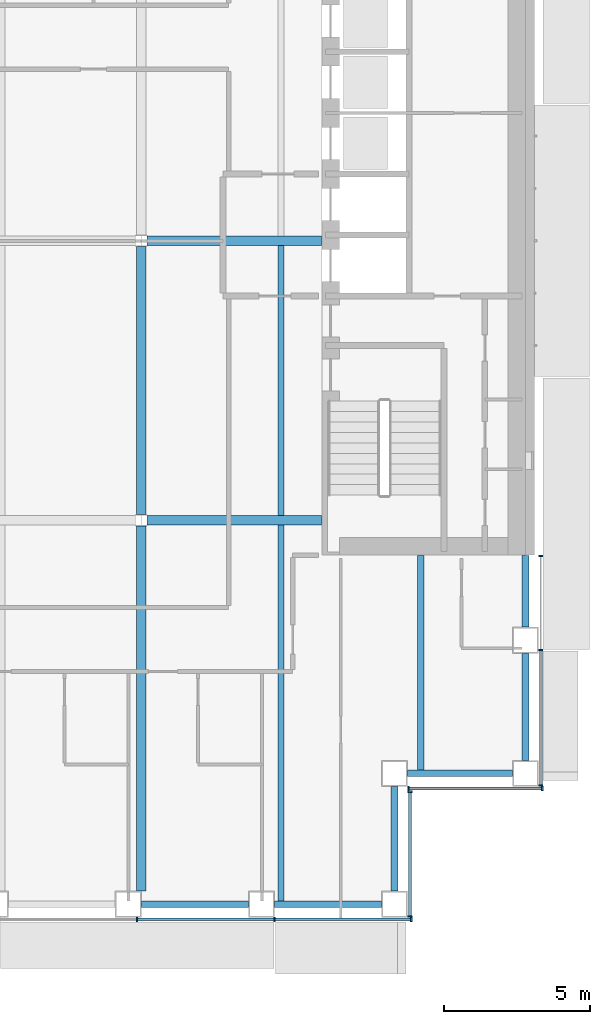
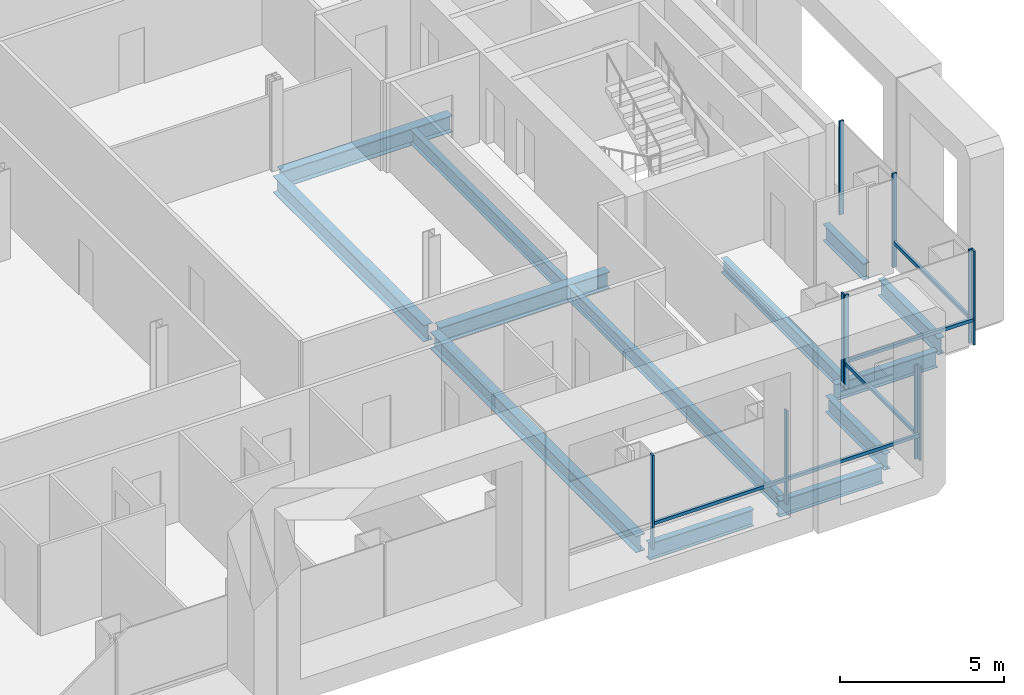
# One storey, part 4 of 20: 15 members, 13 beams, 4 elements without a shape of their own.
"""IFC4 building model written with IfcOpenShell, lengths in metres."""

from ifc_helpers import new_model, si_unit, direction, frame, origin, origin_2d, place, context, subcontext, project, spatial, rectangle, i_section, extrude, material, material_profile, profile_set, type_object, element, aggregate, save


model = new_model("IFC4")

# Units and contexts
model_context = context("Model", 3, precision=1e-05, world=origin(), true_north=direction((0.0, 1.0)))
body_context = subcontext(model_context, "Body", "Model", "MODEL_VIEW")
ifc_project = project(units=[si_unit("LENGTHUNIT", "METRE"), si_unit("AREAUNIT", "SQUARE_METRE"), si_unit("VOLUMEUNIT", "CUBIC_METRE"), si_unit("PLANEANGLEUNIT", "RADIAN"), si_unit("MASSUNIT", "GRAM", prefix="KILO")], contexts=[model_context])

# Site, building, storey
site_placement = place(None, origin())
site = spatial("IfcSite", under=ifc_project, at=site_placement, CompositionType="ELEMENT")
building_placement = place(site_placement, origin())
building = spatial("IfcBuilding", under=site, at=building_placement, Name="Cobrizo Arcos Hotel Tower", CompositionType="ELEMENT")
storey_placement = place(building_placement, frame((0.0, 0.0, 96.0)))
storey = spatial("IfcBuildingStorey", under=building, at=storey_placement, Name="L23", CompositionType="ELEMENT", Elevation=96.0)

# Curtain wall, members
ifc_material_1 = material(Name="Aluminium 6063-T6 anodised bronze", Category="aluminium")
curtain_wall_type = type_object("IfcCurtainWallType", Name="CW-A guest facade", PredefinedType="NOTDEFINED", material=ifc_material_1)
curtain_wall_1_placement = place(storey_placement, origin())
curtain_wall_1 = element("IfcCurtainWall", 1, at=curtain_wall_1_placement, inside=storey, type_object=curtain_wall_type, Name="CW-A L23 S face", PredefinedType="NOTDEFINED")
ifc_material_profile_1 = material_profile(ifc_material_1, rectangle(XDim=0.14990234375, YDim=0.06005859375, at=origin_2d()), Name="CW-A mullion 150x60")
ifc_profile_set_1 = profile_set([ifc_material_profile_1], Name="Aluminium 6063-T6 anodised bronze")
member_type_1 = type_object("IfcMemberType", Name="CW-A mullion 150x60", PredefinedType="MULLION", material=ifc_profile_set_1)
member_1_placement = place(storey_placement, frame((9.449951171875, -23.324951171875, 0.0), z_axis=(0.0, 0.0, 1.0), x_axis=(0.0, -1.0, 0.0)))
member_1 = element("IfcMember", 2, at=member_1_placement, type_object=member_type_1, Name="CW-A mullion 7", PredefinedType="MULLION", context=body_context, shape_type="SweptSolid", body=[
    extrude(rectangle(XDim=0.14990234375, YDim=0.06005859375, at=origin_2d()), origin(), (0.0, 0.0, 1.0), 3.5),
])
member_2_placement = place(storey_placement, frame((14.175048828125, -23.324951171875, 0.0), z_axis=(0.0, 0.0, 1.0), x_axis=(0.0, -1.0, 0.0)))
member_2 = element("IfcMember", 3, at=member_2_placement, type_object=member_type_1, Name="CW-A mullion 8", PredefinedType="MULLION", context=body_context, shape_type="SweptSolid", body=[
    extrude(rectangle(XDim=0.14990234375, YDim=0.06005859375, at=origin_2d()), origin(), (0.0, 0.0, 1.0), 3.5),
])
member_3_placement = place(storey_placement, frame((18.8701171875, -23.324951171875, 0.0), z_axis=(0.0, 0.0, 1.0), x_axis=(0.0, -1.0, 0.0)))
member_3 = element("IfcMember", 4, at=member_3_placement, type_object=member_type_1, Name="CW-A mullion 9", PredefinedType="MULLION", context=body_context, shape_type="SweptSolid", body=[
    extrude(rectangle(XDim=0.14990234375, YDim=0.06005859375, at=origin_2d()), origin(), (0.0, 0.0, 1.0), 3.5),
])

curtain_wall_2_placement = place(storey_placement, origin())
curtain_wall_2 = element("IfcCurtainWall", 5, at=curtain_wall_2_placement, inside=storey, type_object=curtain_wall_type, Name="CW-A L23 E face", PredefinedType="NOTDEFINED")
member_4_placement = place(storey_placement, frame((18.824951171875, -23.219970703125, 0.0), z_axis=(0.0, 0.0, 1.0), x_axis=(1.0, 0.0, 0.0)))
member_4 = element("IfcMember", 6, at=member_4_placement, type_object=member_type_1, Name="CW-A mullion 1", PredefinedType="MULLION", context=body_context, shape_type="SweptSolid", body=[
    extrude(rectangle(XDim=0.14990234375, YDim=0.06005859375, at=origin_2d()), origin(), (0.0, 0.0, 1.0), 3.5),
])
member_5_placement = place(storey_placement, frame((18.824951171875, -18.929931640625, 0.0), z_axis=(0.0, 0.0, 1.0), x_axis=(1.0, 0.0, 0.0)))
member_5 = element("IfcMember", 7, at=member_5_placement, type_object=member_type_1, Name="CW-A mullion 2", PredefinedType="MULLION", context=body_context, shape_type="SweptSolid", body=[
    extrude(rectangle(XDim=0.14990234375, YDim=0.06005859375, at=origin_2d()), origin(), (0.0, 0.0, 1.0), 3.5),
])

curtain_wall_3_placement = place(storey_placement, origin())
curtain_wall_3 = element("IfcCurtainWall", 8, at=curtain_wall_3_placement, inside=storey, type_object=curtain_wall_type, Name="CW-A L23 S face", PredefinedType="NOTDEFINED")
member_6_placement = place(storey_placement, frame((18.780029296875, -18.824951171875, 0.0), z_axis=(0.0, 0.0, 1.0), x_axis=(0.0, -1.0, 0.0)))
member_6 = element("IfcMember", 9, at=member_6_placement, type_object=member_type_1, Name="CW-A mullion 1", PredefinedType="MULLION", context=body_context, shape_type="SweptSolid", body=[
    extrude(rectangle(XDim=0.14990234375, YDim=0.06005859375, at=origin_2d()), origin(), (0.0, 0.0, 1.0), 3.5),
])
member_7_placement = place(storey_placement, frame((23.3701171875, -18.824951171875, 0.0), z_axis=(0.0, 0.0, 1.0), x_axis=(0.0, -1.0, 0.0)))
member_7 = element("IfcMember", 10, at=member_7_placement, type_object=member_type_1, Name="CW-A mullion 2", PredefinedType="MULLION", context=body_context, shape_type="SweptSolid", body=[
    extrude(rectangle(XDim=0.14990234375, YDim=0.06005859375, at=origin_2d()), origin(), (0.0, 0.0, 1.0), 3.5),
])

curtain_wall_4_placement = place(storey_placement, origin())
curtain_wall_4 = element("IfcCurtainWall", 11, at=curtain_wall_4_placement, inside=storey, type_object=curtain_wall_type, Name="CW-A L23 E face", PredefinedType="NOTDEFINED")
member_8_placement = place(storey_placement, frame((23.324951171875, -18.719970703125, 0.0), z_axis=(0.0, 0.0, 1.0), x_axis=(1.0, 0.0, 0.0)))
member_8 = element("IfcMember", 12, at=member_8_placement, type_object=member_type_1, Name="CW-A mullion 1", PredefinedType="MULLION", context=body_context, shape_type="SweptSolid", body=[
    extrude(rectangle(XDim=0.14990234375, YDim=0.06005859375, at=origin_2d()), origin(), (0.0, 0.0, 1.0), 3.5),
])
member_9_placement = place(storey_placement, frame((23.324951171875, -14.0625, 0.0), z_axis=(0.0, 0.0, 1.0), x_axis=(1.0, 0.0, 0.0)))
member_9 = element("IfcMember", 13, at=member_9_placement, type_object=member_type_1, Name="CW-A mullion 2", PredefinedType="MULLION", context=body_context, shape_type="SweptSolid", body=[
    extrude(rectangle(XDim=0.14990234375, YDim=0.06005859375, at=origin_2d()), origin(), (0.0, 0.0, 1.0), 3.5),
])
member_10_placement = place(storey_placement, frame((23.324951171875, -10.830078125, 0.0), z_axis=(0.0, 0.0, 1.0), x_axis=(1.0, 0.0, 0.0)))
member_10 = element("IfcMember", 14, at=member_10_placement, type_object=member_type_1, Name="CW-A mullion 3", PredefinedType="MULLION", context=body_context, shape_type="SweptSolid", body=[
    extrude(rectangle(XDim=0.14990234375, YDim=0.06005859375, at=origin_2d()), origin(), (0.0, 0.0, 1.0), 3.5),
])

# Member
ifc_material_profile_2 = material_profile(ifc_material_1, rectangle(XDim=0.10009765625, YDim=0.1201171875, at=origin_2d()), Name="CW-A transom 120x100")
ifc_profile_set_2 = profile_set([ifc_material_profile_2], Name="Aluminium 6063-T6 anodised bronze")
member_type_2 = type_object("IfcMemberType", Name="CW-A transom 120x100", PredefinedType="USERDEFINED", material=ifc_profile_set_2)
member_11_placement = place(storey_placement, frame((9.47998046875, -23.324951171875, 0.929931640625), z_axis=(1.0, 0.0, 0.0), x_axis=(0.0, 1.0, 0.0)))
member_11 = element("IfcMember", 15, at=member_11_placement, type_object=member_type_2, Name="CW-A transom 921", ObjectType="TRANSOM", PredefinedType="USERDEFINED", context=body_context, shape_type="SweptSolid", body=[
    extrude(rectangle(XDim=0.10009765625, YDim=0.1201171875, at=origin_2d()), origin(), (0.0, 0.0, 1.0), 4.6650390625),
])

member_12_placement = place(storey_placement, frame((14.205078125, -23.324951171875, 0.929931640625), z_axis=(1.0, 0.0, 0.0), x_axis=(0.0, 1.0, 0.0)))
member_12 = element("IfcMember", 16, at=member_12_placement, type_object=member_type_2, Name="CW-A transom 922", ObjectType="TRANSOM", PredefinedType="USERDEFINED", context=body_context, shape_type="SweptSolid", body=[
    extrude(rectangle(XDim=0.10009765625, YDim=0.1201171875, at=origin_2d()), origin(), (0.0, 0.0, 1.0), 4.635009765625),
])

aggregate(curtain_wall_1, [member_1, member_2, member_3, member_11, member_12])

member_13_placement = place(storey_placement, frame((18.824951171875, -23.18994140625, 0.929931640625), z_axis=(0.0, 1.0, 0.0), x_axis=(-1.0, 0.0, 0.0)))
member_13 = element("IfcMember", 17, at=member_13_placement, type_object=member_type_2, Name="CW-A transom 923", ObjectType="TRANSOM", PredefinedType="USERDEFINED", context=body_context, shape_type="SweptSolid", body=[
    extrude(rectangle(XDim=0.10009765625, YDim=0.1201171875, at=origin_2d()), origin(), (0.0, 0.0, 1.0), 4.22998046875),
])

aggregate(curtain_wall_2, [member_4, member_5, member_13])

member_14_placement = place(storey_placement, frame((18.81005859375, -18.824951171875, 0.929931640625), z_axis=(1.0, 0.0, 0.0), x_axis=(0.0, 1.0, 0.0)))
member_14 = element("IfcMember", 18, at=member_14_placement, type_object=member_type_2, Name="CW-A transom 924", ObjectType="TRANSOM", PredefinedType="USERDEFINED", context=body_context, shape_type="SweptSolid", body=[
    extrude(rectangle(XDim=0.10009765625, YDim=0.1201171875, at=origin_2d()), origin(), (0.0, 0.0, 1.0), 4.530029296875),
])

aggregate(curtain_wall_3, [member_6, member_7, member_14])

member_15_placement = place(storey_placement, frame((23.324951171875, -18.68994140625, 0.929931640625), z_axis=(0.0, 1.0, 0.0), x_axis=(-1.0, 0.0, 0.0)))
member_15 = element("IfcMember", 19, at=member_15_placement, type_object=member_type_2, Name="CW-A transom 925", ObjectType="TRANSOM", PredefinedType="USERDEFINED", context=body_context, shape_type="SweptSolid", body=[
    extrude(rectangle(XDim=0.10009765625, YDim=0.1201171875, at=origin_2d()), origin(), (0.0, 0.0, 1.0), 4.597412109375),
])

aggregate(curtain_wall_4, [member_8, member_9, member_10, member_15])

# Beams
ifc_material_2 = material(Name="Steel ASTM A992 Grade 50", Category="steel")
ifc_material_profile_3 = material_profile(ifc_material_2, i_section(OverallWidth=0.209228515625, OverallDepth=0.533447265625, WebThickness=0.01025390625, FlangeThickness=0.015625, at=origin_2d()), Name="W21X62")
ifc_profile_set_3 = profile_set([ifc_material_profile_3], Name="Steel ASTM A992 Grade 50")
beam_type_1 = type_object("IfcBeamType", Name="W21X62 joist", PredefinedType="JOIST", material=ifc_profile_set_3)
beam_1_placement = place(storey_placement, frame((14.39990234375, -22.7099609375, -0.416748046875), z_axis=(0.0, 1.0, 0.0), x_axis=(-1.0, 0.0, 0.0)))
element("IfcBeam", 20, at=beam_1_placement, inside=storey, type_object=beam_type_1, Name="Floor joist J1, L23, no. 015", PredefinedType="JOIST", context=body_context, shape_type="SweptSolid", body=[
    extrude(i_section(OverallWidth=0.209228515625, OverallDepth=0.533447265625, WebThickness=0.01025390625, FlangeThickness=0.015625, at=origin_2d()), origin(), (0.0, 0.0, 1.0), 12.946044921875),
])
beam_2_placement = place(storey_placement, frame((14.39990234375, -9.43603515625, -0.416748046875), z_axis=(0.0, 1.0, 0.0), x_axis=(-1.0, 0.0, 0.0)))
element("IfcBeam", 21, at=beam_2_placement, inside=storey, type_object=beam_type_1, Name="Floor joist J1, L23, no. 016", PredefinedType="JOIST", context=body_context, shape_type="SweptSolid", body=[
    extrude(i_section(OverallWidth=0.209228515625, OverallDepth=0.533447265625, WebThickness=0.01025390625, FlangeThickness=0.015625, at=origin_2d()), origin(), (0.0, 0.0, 1.0), 9.272216796875),
])
beam_3_placement = place(storey_placement, frame((19.199951171875, -18.2099609375, -0.416748046875), z_axis=(0.0, 1.0, 0.0), x_axis=(-1.0, 0.0, 0.0)))
element("IfcBeam", 22, at=beam_3_placement, inside=storey, type_object=beam_type_1, Name="Floor joist J1, L23, no. 019", PredefinedType="JOIST", context=body_context, shape_type="SweptSolid", body=[
    extrude(i_section(OverallWidth=0.209228515625, OverallDepth=0.533447265625, WebThickness=0.01025390625, FlangeThickness=0.015625, at=origin_2d()), origin(), (0.0, 0.0, 1.0), 7.39990234375),
])
ifc_material_profile_4 = material_profile(ifc_material_2, i_section(OverallWidth=0.32763671875, OverallDepth=0.622314453125, WebThickness=0.015380859375, FlangeThickness=0.0244140625, at=origin_2d()), Name="W24X131")
ifc_profile_set_4 = profile_set([ifc_material_profile_4], Name="Steel ASTM A992 Grade 50")
beam_type_2 = type_object("IfcBeamType", Name="W24X131 girder", PredefinedType="BEAM", material=ifc_profile_set_4)
for number, where, z_axis, x_axis, name in (
    (23, (9.79931640625, -9.60009765625, -0.461181640625), (1.0, 0.0, 0.0), (0.0, 1.0, 0.0), "Floor girder G1, L23, no. 004"),
    (24, (9.79931640625, 0.0, -0.461181640625), (1.0, 0.0, 0.0), (0.0, 1.0, 0.0), "Floor girder G1, L23, no. 008"),
):
    element("IfcBeam", number, at=place(storey_placement, frame(where, z_axis=z_axis, x_axis=x_axis)), inside=storey, type_object=beam_type_2, Name=name, PredefinedType="BEAM", context=body_context, shape_type="SweptSolid", body=[
        extrude(i_section(OverallWidth=0.32763671875, OverallDepth=0.622314453125, WebThickness=0.015380859375, FlangeThickness=0.0244140625, at=origin_2d()), origin(), (0.0, 0.0, 1.0), 5.99072265625),
    ])
beam_4_placement = place(storey_placement, frame((9.60009765625, -22.35009765625, -0.461181640625), z_axis=(0.0, 1.0, 0.0), x_axis=(-1.0, 0.0, 0.0)))
element("IfcBeam", 25, at=beam_4_placement, inside=storey, type_object=beam_type_2, Name="Floor girder G1, L23, no. 021", PredefinedType="BEAM", context=body_context, shape_type="SweptSolid", body=[
    extrude(i_section(OverallWidth=0.32763671875, OverallDepth=0.622314453125, WebThickness=0.015380859375, FlangeThickness=0.0244140625, at=origin_2d()), origin(), (0.0, 0.0, 1.0), 12.55078125),
])
beam_5_placement = place(storey_placement, frame((9.60009765625, -9.400634765625, -0.461181640625), z_axis=(0.0, 1.0, 0.0), x_axis=(-1.0, 0.0, 0.0)))
element("IfcBeam", 26, at=beam_5_placement, inside=storey, type_object=beam_type_2, Name="Floor girder G1, L23, no. 022", PredefinedType="BEAM", context=body_context, shape_type="SweptSolid", body=[
    extrude(i_section(OverallWidth=0.32763671875, OverallDepth=0.622314453125, WebThickness=0.015380859375, FlangeThickness=0.0244140625, at=origin_2d()), origin(), (0.0, 0.0, 1.0), 9.201171875),
])
ifc_material_profile_5 = material_profile(ifc_material_2, i_section(OverallWidth=0.23046875, OverallDepth=0.6171875, WebThickness=0.01318359375, FlangeThickness=0.022216796875, at=origin_2d()), Name="W24X94")
ifc_profile_set_5 = profile_set([ifc_material_profile_5], Name="Steel ASTM A992 Grade 50")
beam_type_3 = type_object("IfcBeamType", Name="W24X94 spandrel", PredefinedType="SPANDREL", material=ifc_profile_set_5)
beam_6_placement = place(storey_placement, frame((9.60009765625, -22.800048828125, -0.45849609375), z_axis=(1.0, 0.0, 0.0), x_axis=(0.0, 1.0, 0.0)))
element("IfcBeam", 27, at=beam_6_placement, inside=storey, type_object=beam_type_3, Name="Spandrel beam W24X94, L23, no. 007", PredefinedType="SPANDREL", context=body_context, shape_type="SweptSolid", body=[
    extrude(i_section(OverallWidth=0.23046875, OverallDepth=0.6171875, WebThickness=0.01318359375, FlangeThickness=0.022216796875, at=origin_2d()), origin(), (0.0, 0.0, 1.0), 3.6748046875),
])
beam_7_placement = place(storey_placement, frame((14.175048828125, -22.800048828125, -0.45849609375), z_axis=(1.0, 0.0, 0.0), x_axis=(0.0, 1.0, 0.0)))
element("IfcBeam", 28, at=beam_7_placement, inside=storey, type_object=beam_type_3, Name="Spandrel beam W24X94, L23, no. 008", PredefinedType="SPANDREL", context=body_context, shape_type="SweptSolid", body=[
    extrude(i_section(OverallWidth=0.23046875, OverallDepth=0.6171875, WebThickness=0.01318359375, FlangeThickness=0.022216796875, at=origin_2d()), origin(), (0.0, 0.0, 1.0), 3.675048828125),
])
for number, where, z_axis, x_axis, name in (
    (29, (18.300048828125, -22.35009765625, -0.45849609375), (0.0, 1.0, 0.0), (-1.0, 0.0, 0.0), "Spandrel beam W24X94, L23, no. 009"),
    (30, (18.75, -18.300048828125, -0.45849609375), (1.0, 0.0, 0.0), (0.0, 1.0, 0.0), "Spandrel beam W24X94, L23, no. 010"),
):
    element("IfcBeam", number, at=place(storey_placement, frame(where, z_axis=z_axis, x_axis=x_axis)), inside=storey, type_object=beam_type_3, Name=name, PredefinedType="SPANDREL", context=body_context, shape_type="SweptSolid", body=[
        extrude(i_section(OverallWidth=0.23046875, OverallDepth=0.6171875, WebThickness=0.01318359375, FlangeThickness=0.022216796875, at=origin_2d()), origin(), (0.0, 0.0, 1.0), 3.60009765625),
    ])
beam_8_placement = place(storey_placement, frame((22.800048828125, -17.85009765625, -0.45849609375), z_axis=(0.0, 1.0, 0.0), x_axis=(-1.0, 0.0, 0.0)))
element("IfcBeam", 31, at=beam_8_placement, inside=storey, type_object=beam_type_3, Name="Spandrel beam W24X94, L23, no. 011", PredefinedType="SPANDREL", context=body_context, shape_type="SweptSolid", body=[
    extrude(i_section(OverallWidth=0.23046875, OverallDepth=0.6171875, WebThickness=0.01318359375, FlangeThickness=0.022216796875, at=origin_2d()), origin(), (0.0, 0.0, 1.0), 3.675048828125),
])
beam_9_placement = place(storey_placement, frame((22.800048828125, -13.27490234375, -0.45849609375), z_axis=(0.0, 1.0, 0.0), x_axis=(-1.0, 0.0, 0.0)))
element("IfcBeam", 32, at=beam_9_placement, inside=storey, type_object=beam_type_3, Name="Spandrel beam W24X94, L23, no. 012", PredefinedType="SPANDREL", context=body_context, shape_type="SweptSolid", body=[
    extrude(i_section(OverallWidth=0.23046875, OverallDepth=0.6171875, WebThickness=0.01318359375, FlangeThickness=0.022216796875, at=origin_2d()), origin(), (0.0, 0.0, 1.0), 2.46484375),
])

save(model, "model.ifc")
